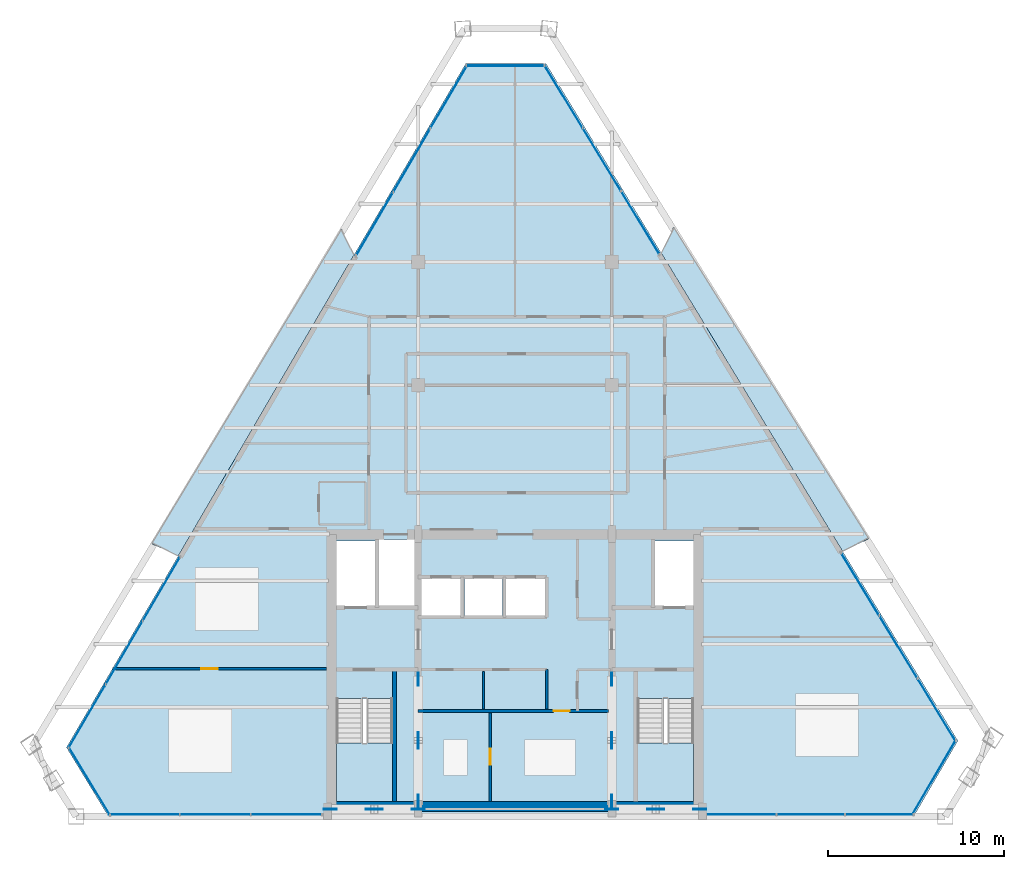
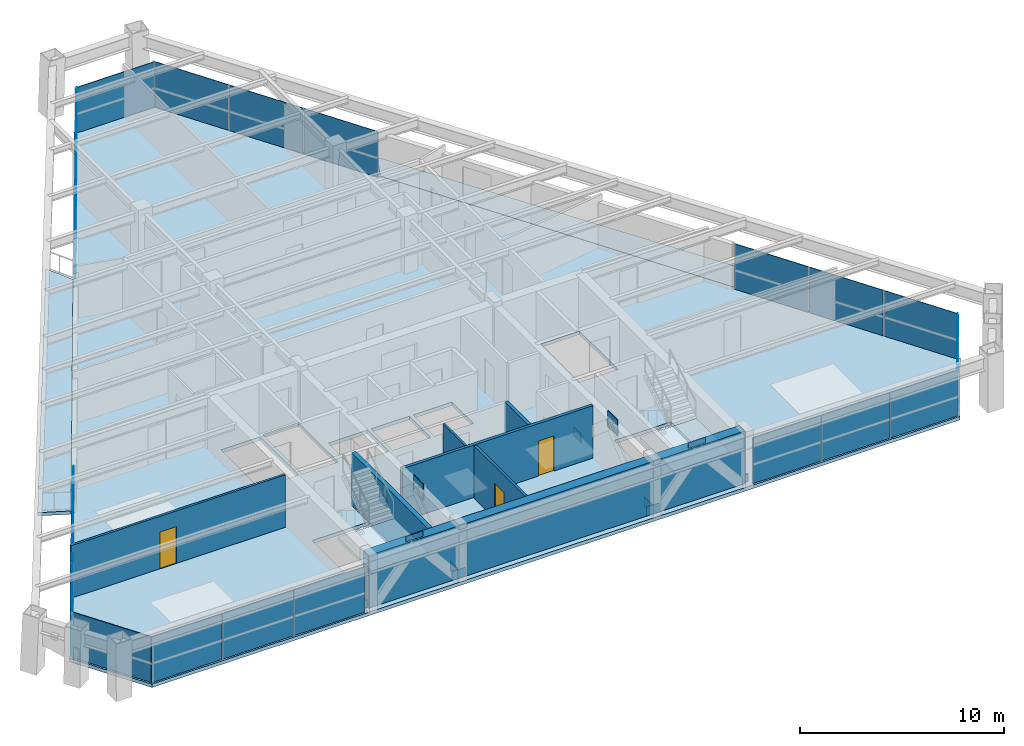
# One storey, part 8 of 13: 33 plates, 7 walls, 5 slabs, 3 doors, 3 openings, 11 elements without a shape of their own.
"""IFC4 building model written with IfcOpenShell, lengths in metres."""

from ifc_helpers import new_model, si_unit, direction, frame, frame_2d, origin, origin_2d, place, context, subcontext, project, spatial, polyline, rectangle, outline, extrude, source, transform, mapped, material, layer, layer_set, type_object, type_shapes, element, fill, aggregate, save


model = new_model("IFC4")

# Units and contexts
model_context = context("Model", 3, precision=1e-05, world=origin(), true_north=direction((0.0, 1.0)))
body_context = subcontext(model_context, "Body", "Model", "MODEL_VIEW")
ifc_project = project(units=[si_unit("LENGTHUNIT", "METRE"), si_unit("AREAUNIT", "SQUARE_METRE"), si_unit("VOLUMEUNIT", "CUBIC_METRE"), si_unit("PLANEANGLEUNIT", "RADIAN"), si_unit("MASSUNIT", "GRAM", prefix="KILO")], contexts=[model_context])

# Site, building, storey
site_placement = place(None, origin())
site = spatial("IfcSite", under=ifc_project, at=site_placement, CompositionType="ELEMENT")
building_placement = place(site_placement, origin())
building = spatial("IfcBuilding", under=site, at=building_placement, Name="Varnakhor Terracotta Tower", CompositionType="ELEMENT")
storey_placement = place(building_placement, frame((0.0, 0.0, 254.5)))
storey = spatial("IfcBuildingStorey", under=building, at=storey_placement, Name="L66", CompositionType="ELEMENT", Elevation=254.5)

# Slab
ifc_material_1 = material(Name="Concrete C40/50", Category="concrete")
ifc_layer_1 = layer(ifc_material_1, 0.2099609375, Name="Concrete C40/50")
ifc_layer_set_1 = layer_set([ifc_layer_1], Name="Concrete C40/50")
slab_type_1 = type_object("IfcSlabType", Name="SLB-HTL-210", PredefinedType="FLOOR", material=ifc_layer_set_1)
slab_1_placement = place(storey_placement, frame((0.0, 0.0, -0.2099609375)))
element("IfcSlab", 1, at=slab_1_placement, inside=storey, type_object=slab_type_1, Name="L66 Structural Floor Slab", PredefinedType="FLOOR", context=body_context, shape_type="SweptSolid", body=[
    extrude(outline(polyline([(-25.48583984375, 3.926025390625), (-2.800537109375, 42.77880859375), (1.759033203125, 42.77880859375), (25.160400390625, 4.30419921875), (22.647216796875, 0.0), (-23.097900390625, 0.0), (-25.48583984375, 3.926025390625)]), holes=[polyline([(-6.949951171875, 0.85009765625), (-6.949951171875, 6.695068359375), (-10.14990234375, 6.695068359375), (-10.14990234375, 0.85009765625), (-6.949951171875, 0.85009765625)]), polyline([(10.14990234375, 0.85009765625), (10.14990234375, 6.695068359375), (6.949951171875, 6.695068359375), (6.949951171875, 0.85009765625), (10.14990234375, 0.85009765625)]), polyline([(-3.10009765625, 11.419921875), (-3.10009765625, 13.52001953125), (-5.300048828125, 13.52001953125), (-5.300048828125, 11.419921875), (-3.10009765625, 11.419921875)]), polyline([(-0.719970703125, 11.419921875), (-0.719970703125, 13.52001953125), (-2.8798828125, 13.52001953125), (-2.8798828125, 11.419921875), (-0.719970703125, 11.419921875)]), polyline([(1.699951171875, 11.419921875), (1.699951171875, 13.52001953125), (-0.5, 13.52001953125), (-0.5, 11.419921875), (1.699951171875, 11.419921875)]), polyline([(-7.949951171875, 11.8798828125), (-7.949951171875, 15.64990234375), (-10.14990234375, 15.64990234375), (-10.14990234375, 11.8798828125), (-7.949951171875, 11.8798828125)]), polyline([(10.14990234375, 11.8798828125), (10.14990234375, 15.64990234375), (7.949951171875, 15.64990234375), (7.949951171875, 11.8798828125), (10.14990234375, 11.8798828125)]), polyline([(-5.699951171875, 11.8798828125), (-5.699951171875, 15.75), (-7.72998046875, 15.75), (-7.72998046875, 11.8798828125), (-5.699951171875, 11.8798828125)])]), origin(), (0.0, 0.0, 1.0), 0.2099609375),
])

# Stair, slab
stair_type = type_object("IfcStairType", Name="STR-CORE-HOTEL-1500", PredefinedType="HALF_TURN_STAIR", material=ifc_material_1)
stair_1_placement = place(storey_placement, origin())
stair_1 = element("IfcStair", 2, at=stair_1_placement, inside=storey, type_object=stair_type, Name="L66 Core Exit Stair ST-1", PredefinedType="HALF_TURN_STAIR")
ifc_layer_2 = layer(ifc_material_1, 0.179931640625, Name="Concrete C40/50")
ifc_layer_set_2 = layer_set([ifc_layer_2], Name="Concrete C40/50")
slab_type_2 = type_object("IfcSlabType", Name="SLB-LANDING-180", PredefinedType="LANDING", material=ifc_layer_set_2)
slab_2_placement = place(storey_placement, frame((0.0, 0.0, 1.52490234375)))
slab_2 = element("IfcSlab", 3, at=slab_2_placement, type_object=slab_type_2, Name="ST-1 landing 1", PredefinedType="LANDING", context=body_context, shape_type="SweptSolid", body=[
    extrude(outline(polyline([(-10.14990234375, 4.18994140625), (-10.14990234375, 0.85009765625), (-6.949951171875, 0.85009765625), (-6.949951171875, 4.18994140625), (-10.14990234375, 4.18994140625)])), origin(), (0.0, 0.0, 1.0), 0.2001953125),
])
aggregate(stair_1, [slab_2])

stair_2_placement = place(storey_placement, origin())
stair_2 = element("IfcStair", 4, at=stair_2_placement, inside=storey, type_object=stair_type, Name="L66 Core Exit Stair ST-2", PredefinedType="HALF_TURN_STAIR")
slab_3_placement = place(storey_placement, frame((0.0, 0.0, 1.52490234375)))
slab_3 = element("IfcSlab", 5, at=slab_3_placement, type_object=slab_type_2, Name="ST-2 landing 1", PredefinedType="LANDING", context=body_context, shape_type="SweptSolid", body=[
    extrude(outline(polyline([(6.949951171875, 4.18994140625), (6.949951171875, 0.85009765625), (10.14990234375, 0.85009765625), (10.14990234375, 4.18994140625), (6.949951171875, 4.18994140625)])), origin(), (0.0, 0.0, 1.0), 0.2001953125),
])
aggregate(stair_2, [slab_3])

# Slabs
ifc_layer_3 = layer(ifc_material_1, 0.195068359375, Name="Concrete C40/50")
ifc_layer_set_3 = layer_set([ifc_layer_3], Name="Concrete C40/50")
slab_type_3 = type_object("IfcSlabType", Name="SLB-LOGGIA-EXT-195", PredefinedType="FLOOR", material=ifc_layer_set_3)
slab_4_placement = place(storey_placement, frame((0.0, 0.0, -0.195068359375)))
element("IfcSlab", 6, at=slab_4_placement, inside=storey, type_object=slab_type_3, Name="L66 E Recessed Outdoor Loggia Slab", PredefinedType="FLOOR", context=body_context, shape_type="SweptSolid", body=[
    extrude(outline(polyline([(9.00048828125, 33.482421875), (20.09619140625, 15.772705078125), (18.60791015625, 15.076904296875), (8.311279296875, 32.005859375), (9.00048828125, 33.482421875)])), origin(), (0.0, 0.0, 1.0), 0.195068359375),
])
slab_5_placement = place(storey_placement, frame((0.0, 0.0, -0.195068359375)))
element("IfcSlab", 7, at=slab_5_placement, inside=storey, type_object=slab_type_3, Name="L66 W Recessed Outdoor Loggia Slab", PredefinedType="FLOOR", context=body_context, shape_type="SweptSolid", body=[
    extrude(outline(polyline([(-20.635009765625, 15.48779296875), (-9.846435546875, 33.37158203125), (-9.15234375, 31.89990234375), (-19.1337890625, 14.8046875), (-20.635009765625, 15.48779296875)])), origin(), (0.0, 0.0, 1.0), 0.195068359375),
])

# Plates
ifc_material_2 = material(Name="Steel S460", Category="steel")
ifc_layer_4 = layer(ifc_material_2, 0.050048828125, Name="Steel S460")
ifc_layer_set_4 = layer_set([ifc_layer_4], Name="Steel S460")
plate_type_1 = type_object("IfcPlateType", Name="PLT-GUSSET-50", PredefinedType="USERDEFINED", material=ifc_layer_set_4)
shared_shape_1 = source(origin(), body_context, "Body", "SweptSolid", [
    extrude(rectangle(XDim=0.75, YDim=0.0400390625, at=origin_2d()), origin(), (0.0, 0.0, 1.0), 0.550048828125),
])
type_shapes(plate_type_1, [shared_shape_1])
for number, where, z_axis, x_axis, name in (
    (8, (-10.5, 0.419921875, -0.09521484375), (0.0, 0.0, 1.0), (1.0, 0.0, 0.0), "L66 Core Brace Embed Plate CSWA"),
    (9, (-5.5, 0.419921875, -0.09521484375), (0.0, 0.0, 1.0), (1.0, 0.0, 0.0), "L66 Core Brace Embed Plate CSWB"),
    (10, (5.5, 0.419921875, -0.09521484375), (0.0, 0.0, 1.0), (1.0, 0.0, 0.0), "L66 Core Brace Embed Plate CSEA"),
    (11, (10.5, 0.419921875, -0.09521484375), (0.0, 0.0, 1.0), (1.0, 0.0, 0.0), "L66 Core Brace Embed Plate CSEB"),
    (12, (-5.5, 0.85009765625, -0.09521484375), (0.0, 0.0, 1.0), (0.0, 1.0, 0.0), "L66 Core Brace Embed Plate CWWA"),
    (13, (-5.5, 7.800048828125, -0.09521484375), (0.0, 0.0, 1.0), (0.0, 1.0, 0.0), "L66 Core Brace Embed Plate CWWB"),
    (14, (5.5, 0.85009765625, -0.09521484375), (0.0, 0.0, 1.0), (0.0, 1.0, 0.0), "L66 Core Brace Embed Plate CWEA"),
    (15, (5.5, 7.800048828125, -0.09521484375), (0.0, 0.0, 1.0), (0.0, 1.0, 0.0), "L66 Core Brace Embed Plate CWEB"),
):
    element("IfcPlate", number, at=place(storey_placement, frame(where, z_axis=z_axis, x_axis=x_axis)), inside=storey, type_object=plate_type_1, Name=name, ObjectType="GUSSET PLATE", PredefinedType="USERDEFINED", context=body_context, shape_type="MappedRepresentation", body=[
        mapped(shared_shape_1, transform((0.0, 0.0, 0.0), scale=1.0)),
    ])
shared_shape_2 = source(origin(), body_context, "Body", "SweptSolid", [
    extrude(rectangle(XDim=0.949951171875, YDim=0.044921875, at=origin_2d()), origin(), (0.0, 0.0, 1.0), 0.949951171875),
])
for number, where, z_axis, x_axis, name in (
    (16, (-8.0, 0.419921875, 2.52490234375), (0.0, 0.0, 1.0), (1.0, 0.0, 0.0), "L66 Core Brace Apex Gusset CSW"),
    (17, (8.0, 0.419921875, 2.52490234375), (0.0, 0.0, 1.0), (1.0, 0.0, 0.0), "L66 Core Brace Apex Gusset CSE"),
    (18, (-5.5, 4.324951171875, 2.52490234375), (0.0, 0.0, 1.0), (0.0, 1.0, 0.0), "L66 Core Brace Apex Gusset CWW"),
    (19, (5.5, 4.324951171875, 2.52490234375), (0.0, 0.0, 1.0), (0.0, 1.0, 0.0), "L66 Core Brace Apex Gusset CWE"),
):
    element("IfcPlate", number, at=place(storey_placement, frame(where, z_axis=z_axis, x_axis=x_axis)), inside=storey, type_object=plate_type_1, Name=name, ObjectType="GUSSET PLATE", PredefinedType="USERDEFINED", context=body_context, shape_type="MappedRepresentation", body=[
        mapped(shared_shape_2, transform((0.0, 0.0, 0.0), scale=1.0)),
    ])

# Curtain wall, plates
ifc_material_3 = material(Name="Anodised Aluminium Curtain Wall System", Category="aluminium")
curtain_wall_type = type_object("IfcCurtainWallType", Name="CW-SYS-HOTEL-LOGGIA", PredefinedType="NOTDEFINED", material=ifc_material_3)
curtain_wall_1_placement = place(storey_placement, origin())
curtain_wall_1 = element("IfcCurtainWall", 20, at=curtain_wall_1_placement, inside=storey, type_object=curtain_wall_type, Name="L66 W Facet Curtain Wall 1", PredefinedType="NOTDEFINED")
ifc_material_4 = material(Name="Solar-Control Low-E Insulated Glass Panel", Category="glass")
ifc_layer_5 = layer(ifc_material_4, 0.033935546875, Name="Solar-Control Low-E Insulated Glass Panel")
ifc_layer_set_5 = layer_set([ifc_layer_5], Name="Solar-Control Low-E Insulated Glass Panel")
plate_type_2 = type_object("IfcPlateType", Name="CWP-04", PredefinedType="CURTAIN_PANEL", material=ifc_layer_set_5)
shared_shape_3 = source(origin(), body_context, "Body", "SweptSolid", [
    extrude(rectangle(XDim=4.13916015625, YDim=0.035888671875, at=origin_2d()), origin(), (0.0, 0.0, 1.0), 2.72998046875),
])
plate_1_placement = place(storey_placement, frame((-24.3134765625, 5.69580078125, 0.0), z_axis=(0.0, 0.0, 1.0), x_axis=(0.504226211181, 0.863571611366, 0.0)))
plate_1 = element("IfcPlate", 21, at=plate_1_placement, type_object=plate_type_2, Name="L66 W Facet Curtain Wall 1 Glazed Panel 1", PredefinedType="CURTAIN_PANEL", context=body_context, shape_type="MappedRepresentation", body=[
    mapped(shared_shape_3, transform((0.0, 0.0, 0.0), scale=1.0)),
])
plate_2_placement = place(storey_placement, frame((-22.206298828125, 9.304931640625, 0.0), z_axis=(0.0, 0.0, 1.0), x_axis=(0.504226211181, 0.863571611366, 0.0)))
plate_2 = element("IfcPlate", 22, at=plate_2_placement, type_object=plate_type_2, Name="L66 W Facet Curtain Wall 1 Glazed Panel 2", PredefinedType="CURTAIN_PANEL", context=body_context, shape_type="MappedRepresentation", body=[
    mapped(shared_shape_3, transform((0.0, 0.0, 0.0), scale=1.0)),
])

curtain_wall_2_placement = place(storey_placement, origin())
curtain_wall_2 = element("IfcCurtainWall", 23, at=curtain_wall_2_placement, inside=storey, type_object=curtain_wall_type, Name="L66 W Facet Curtain Wall 2", PredefinedType="NOTDEFINED")
plate_3_placement = place(storey_placement, frame((-7.97998046875, 33.669921875, 0.0), z_axis=(0.0, 0.0, 1.0), x_axis=(0.504226211181, 0.863571611366, 0.0)))
plate_3 = element("IfcPlate", 24, at=plate_3_placement, type_object=plate_type_2, Name="L66 W Facet Curtain Wall 2 Glazed Panel 1", PredefinedType="CURTAIN_PANEL", context=body_context, shape_type="MappedRepresentation", body=[
    mapped(shared_shape_3, transform((0.0, 0.0, 0.0), scale=1.0)),
])
plate_4_placement = place(storey_placement, frame((-5.872802734375, 37.27880859375, 0.0), z_axis=(0.0, 0.0, 1.0), x_axis=(0.504226211181, 0.863571611366, 0.0)))
plate_4 = element("IfcPlate", 25, at=plate_4_placement, type_object=plate_type_2, Name="L66 W Facet Curtain Wall 2 Glazed Panel 2", PredefinedType="CURTAIN_PANEL", context=body_context, shape_type="MappedRepresentation", body=[
    mapped(shared_shape_3, transform((0.0, 0.0, 0.0), scale=1.0)),
])
plate_5_placement = place(storey_placement, frame((-3.765625, 40.8876953125, 0.0), z_axis=(0.0, 0.0, 1.0), x_axis=(0.504226211181, 0.863571611366, 0.0)))
plate_5 = element("IfcPlate", 26, at=plate_5_placement, type_object=plate_type_2, Name="L66 W Facet Curtain Wall 2 Glazed Panel 3", PredefinedType="CURTAIN_PANEL", context=body_context, shape_type="MappedRepresentation", body=[
    mapped(shared_shape_3, transform((0.0, 0.0, 0.0), scale=1.0)),
])
aggregate(curtain_wall_2, [plate_3, plate_4, plate_5])

# Plate
shared_shape_4 = source(origin(), body_context, "Body", "SweptSolid", [
    extrude(rectangle(XDim=4.138916015625, YDim=0.035888671875, at=origin_2d()), origin(), (0.0, 0.0, 1.0), 2.72998046875),
])
plate_6_placement = place(storey_placement, frame((-20.09912109375, 12.913818359375, 0.0), z_axis=(0.0, 0.0, 1.0), x_axis=(0.504226211181, 0.863571611366, 0.0)))
plate_6 = element("IfcPlate", 27, at=plate_6_placement, type_object=plate_type_2, Name="L66 W Facet Curtain Wall 1 Glazed Panel 3", PredefinedType="CURTAIN_PANEL", context=body_context, shape_type="MappedRepresentation", body=[
    mapped(shared_shape_4, transform((0.0, 0.0, 0.0), scale=1.0)),
])

aggregate(curtain_wall_1, [plate_1, plate_2, plate_6])

# Curtain wall, plate
curtain_wall_3_placement = place(storey_placement, origin())
curtain_wall_3 = element("IfcCurtainWall", 28, at=curtain_wall_3_placement, inside=storey, type_object=curtain_wall_type, Name="L66 Facet Curtain Wall 2", PredefinedType="NOTDEFINED")
shared_shape_5 = source(origin(), body_context, "Body", "SweptSolid", [
    extrude(rectangle(XDim=4.459716796875, YDim=0.035888671875, at=origin_2d()), origin(), (0.0, 0.0, 1.0), 2.72998046875),
])
plate_7_placement = place(storey_placement, frame((-0.520751953125, 42.65869140625, 0.0), z_axis=(0.0, 0.0, 1.0), x_axis=(1.0, 0.0, 0.0)))
plate_7 = element("IfcPlate", 29, at=plate_7_placement, type_object=plate_type_2, Name="L66 Facet Curtain Wall 2 Glazed Panel 1", PredefinedType="CURTAIN_PANEL", context=body_context, shape_type="MappedRepresentation", body=[
    mapped(shared_shape_5, transform((0.0, 0.0, 0.0), scale=1.0)),
])
aggregate(curtain_wall_3, [plate_7])

# Curtain wall, plates
curtain_wall_4_placement = place(storey_placement, origin())
curtain_wall_4 = element("IfcCurtainWall", 30, at=curtain_wall_4_placement, inside=storey, type_object=curtain_wall_type, Name="L66 E Facet Curtain Wall 1", PredefinedType="NOTDEFINED")
shared_shape_6 = source(origin(), body_context, "Body", "SweptSolid", [
    extrude(rectangle(XDim=4.14306640625, YDim=0.035888671875, at=origin_2d()), origin(), (0.0, 0.0, 1.0), 2.72998046875),
])
plate_8_placement = place(storey_placement, frame((2.759033203125, 40.90380859375, 0.0), z_axis=(0.0, 0.0, 1.0), x_axis=(0.519653323549, -0.85437721372, 0.0)))
plate_8 = element("IfcPlate", 31, at=plate_8_placement, type_object=plate_type_2, Name="L66 E Facet Curtain Wall 1 Glazed Panel 1", PredefinedType="CURTAIN_PANEL", context=body_context, shape_type="MappedRepresentation", body=[
    mapped(shared_shape_6, transform((0.0, 0.0, 0.0), scale=1.0)),
])
plate_9_placement = place(storey_placement, frame((7.1064453125, 33.756103515625, 0.0), z_axis=(0.0, 0.0, 1.0), x_axis=(0.519653323549, -0.85437721372, 0.0)))
plate_9 = element("IfcPlate", 32, at=plate_9_placement, type_object=plate_type_2, Name="L66 E Facet Curtain Wall 1 Glazed Panel 3", PredefinedType="CURTAIN_PANEL", context=body_context, shape_type="MappedRepresentation", body=[
    mapped(shared_shape_6, transform((0.0, 0.0, 0.0), scale=1.0)),
])

curtain_wall_5_placement = place(storey_placement, origin())
curtain_wall_5 = element("IfcCurtainWall", 33, at=curtain_wall_5_placement, inside=storey, type_object=curtain_wall_type, Name="L66 E Facet Curtain Wall 2", PredefinedType="NOTDEFINED")
plate_10_placement = place(storey_placement, frame((19.60791015625, 13.201904296875, 0.0), z_axis=(0.0, 0.0, 1.0), x_axis=(0.519653323549, -0.85437721372, 0.0)))
plate_10 = element("IfcPlate", 34, at=plate_10_placement, type_object=plate_type_2, Name="L66 E Facet Curtain Wall 2 Glazed Panel 1", PredefinedType="CURTAIN_PANEL", context=body_context, shape_type="MappedRepresentation", body=[
    mapped(shared_shape_6, transform((0.0, 0.0, 0.0), scale=1.0)),
])
plate_11_placement = place(storey_placement, frame((21.781494140625, 9.628173828125, 0.0), z_axis=(0.0, 0.0, 1.0), x_axis=(0.519653323549, -0.85437721372, 0.0)))
plate_11 = element("IfcPlate", 35, at=plate_11_placement, type_object=plate_type_2, Name="L66 E Facet Curtain Wall 2 Glazed Panel 2", PredefinedType="CURTAIN_PANEL", context=body_context, shape_type="MappedRepresentation", body=[
    mapped(shared_shape_6, transform((0.0, 0.0, 0.0), scale=1.0)),
])

# Plate
shared_shape_7 = source(origin(), body_context, "Body", "SweptSolid", [
    extrude(rectangle(XDim=4.142822265625, YDim=0.035888671875, at=origin_2d()), origin(), (0.0, 0.0, 1.0), 2.72998046875),
])
plate_12_placement = place(storey_placement, frame((4.9326171875, 37.329833984375, 0.0), z_axis=(0.0, 0.0, 1.0), x_axis=(0.519653323549, -0.85437721372, 0.0)))
plate_12 = element("IfcPlate", 36, at=plate_12_placement, type_object=plate_type_2, Name="L66 E Facet Curtain Wall 1 Glazed Panel 2", PredefinedType="CURTAIN_PANEL", context=body_context, shape_type="MappedRepresentation", body=[
    mapped(shared_shape_7, transform((0.0, 0.0, 0.0), scale=1.0)),
])

aggregate(curtain_wall_4, [plate_8, plate_12, plate_9])

plate_13_placement = place(storey_placement, frame((23.955322265625, 6.05419921875, 0.0), z_axis=(0.0, 0.0, 1.0), x_axis=(0.519653323549, -0.85437721372, 0.0)))
plate_13 = element("IfcPlate", 37, at=plate_13_placement, type_object=plate_type_2, Name="L66 E Facet Curtain Wall 2 Glazed Panel 3", PredefinedType="CURTAIN_PANEL", context=body_context, shape_type="MappedRepresentation", body=[
    mapped(shared_shape_7, transform((0.0, 0.0, 0.0), scale=1.0)),
])

aggregate(curtain_wall_5, [plate_10, plate_11, plate_13])

# Curtain wall, plate
curtain_wall_6_placement = place(storey_placement, origin())
curtain_wall_6 = element("IfcCurtainWall", 38, at=curtain_wall_6_placement, inside=storey, type_object=curtain_wall_type, Name="L66 Facet Curtain Wall 4", PredefinedType="NOTDEFINED")
shared_shape_8 = source(origin(), body_context, "Body", "SweptSolid", [
    extrude(rectangle(XDim=4.884033203125, YDim=0.035888671875, at=origin_2d()), origin(), (0.0, 0.0, 1.0), 2.72998046875),
])
plate_14_placement = place(storey_placement, frame((23.800048828125, 2.212646484375, 0.0), z_axis=(0.0, 0.0, 1.0), x_axis=(-0.504226211181, -0.863571611366, 0.0)))
plate_14 = element("IfcPlate", 39, at=plate_14_placement, type_object=plate_type_2, Name="L66 Facet Curtain Wall 4 Glazed Panel 1", PredefinedType="CURTAIN_PANEL", context=body_context, shape_type="MappedRepresentation", body=[
    mapped(shared_shape_8, transform((0.0, 0.0, 0.0), scale=1.0)),
])
aggregate(curtain_wall_6, [plate_14])

# Curtain wall, plates
curtain_wall_7_placement = place(storey_placement, origin())
curtain_wall_7 = element("IfcCurtainWall", 40, at=curtain_wall_7_placement, inside=storey, type_object=curtain_wall_type, Name="L66 South Wing Curtain Wall SSE", PredefinedType="NOTDEFINED")
shared_shape_9 = source(origin(), body_context, "Body", "SweptSolid", [
    extrude(rectangle(XDim=3.84912109375, YDim=0.035888671875, at=origin_2d()), origin(), (0.0, 0.0, 1.0), 2.72998046875),
])
plate_15_placement = place(storey_placement, frame((20.692626953125, 0.1201171875, 0.0), z_axis=(0.0, 0.0, 1.0), x_axis=(-1.0, 0.0, 0.0)))
plate_15 = element("IfcPlate", 41, at=plate_15_placement, type_object=plate_type_2, Name="L66 South Wing Curtain Wall SSE Glazed Panel 1", PredefinedType="CURTAIN_PANEL", context=body_context, shape_type="MappedRepresentation", body=[
    mapped(shared_shape_9, transform((0.0, 0.0, 0.0), scale=1.0)),
])
plate_16_placement = place(storey_placement, frame((16.8037109375, 0.1201171875, 0.0), z_axis=(0.0, 0.0, 1.0), x_axis=(-1.0, 0.0, 0.0)))
plate_16 = element("IfcPlate", 42, at=plate_16_placement, type_object=plate_type_2, Name="L66 South Wing Curtain Wall SSE Glazed Panel 2", PredefinedType="CURTAIN_PANEL", context=body_context, shape_type="MappedRepresentation", body=[
    mapped(shared_shape_9, transform((0.0, 0.0, 0.0), scale=1.0)),
])
plate_17_placement = place(storey_placement, frame((12.91455078125, 0.1201171875, 0.0), z_axis=(0.0, 0.0, 1.0), x_axis=(-1.0, 0.0, 0.0)))
plate_17 = element("IfcPlate", 43, at=plate_17_placement, type_object=plate_type_2, Name="L66 South Wing Curtain Wall SSE Glazed Panel 3", PredefinedType="CURTAIN_PANEL", context=body_context, shape_type="MappedRepresentation", body=[
    mapped(shared_shape_9, transform((0.0, 0.0, 0.0), scale=1.0)),
])
aggregate(curtain_wall_7, [plate_15, plate_16, plate_17])

curtain_wall_8_placement = place(storey_placement, origin())
curtain_wall_8 = element("IfcCurtainWall", 44, at=curtain_wall_8_placement, inside=storey, type_object=curtain_wall_type, Name="L66 South Wing Curtain Wall SSW", PredefinedType="NOTDEFINED")
shared_shape_10 = source(origin(), body_context, "Body", "SweptSolid", [
    extrude(rectangle(XDim=3.999267578125, YDim=0.035888671875, at=origin_2d()), origin(), (0.0, 0.0, 1.0), 2.72998046875),
])
plate_18_placement = place(storey_placement, frame((-12.98974609375, 0.1201171875, 0.0), z_axis=(0.0, 0.0, 1.0), x_axis=(-1.0, 0.0, 0.0)))
plate_18 = element("IfcPlate", 45, at=plate_18_placement, type_object=plate_type_2, Name="L66 South Wing Curtain Wall SSW Glazed Panel 1", PredefinedType="CURTAIN_PANEL", context=body_context, shape_type="MappedRepresentation", body=[
    mapped(shared_shape_10, transform((0.0, 0.0, 0.0), scale=1.0)),
])
plate_19_placement = place(storey_placement, frame((-17.029052734375, 0.1201171875, 0.0), z_axis=(0.0, 0.0, 1.0), x_axis=(-1.0, 0.0, 0.0)))
plate_19 = element("IfcPlate", 46, at=plate_19_placement, type_object=plate_type_2, Name="L66 South Wing Curtain Wall SSW Glazed Panel 2", PredefinedType="CURTAIN_PANEL", context=body_context, shape_type="MappedRepresentation", body=[
    mapped(shared_shape_10, transform((0.0, 0.0, 0.0), scale=1.0)),
])
plate_20_placement = place(storey_placement, frame((-21.068115234375, 0.1201171875, 0.0), z_axis=(0.0, 0.0, 1.0), x_axis=(-1.0, 0.0, 0.0)))
plate_20 = element("IfcPlate", 47, at=plate_20_placement, type_object=plate_type_2, Name="L66 South Wing Curtain Wall SSW Glazed Panel 3", PredefinedType="CURTAIN_PANEL", context=body_context, shape_type="MappedRepresentation", body=[
    mapped(shared_shape_10, transform((0.0, 0.0, 0.0), scale=1.0)),
])
aggregate(curtain_wall_8, [plate_18, plate_19, plate_20])

# Curtain wall, plate
curtain_wall_9_placement = place(storey_placement, origin())
curtain_wall_9 = element("IfcCurtainWall", 48, at=curtain_wall_9_placement, inside=storey, type_object=curtain_wall_type, Name="L66 Facet Curtain Wall 6", PredefinedType="NOTDEFINED")
shared_shape_11 = source(origin(), body_context, "Body", "SweptSolid", [
    extrude(rectangle(XDim=4.4951171875, YDim=0.035888671875, at=origin_2d()), origin(), (0.0, 0.0, 1.0), 2.72998046875),
])
plate_21_placement = place(storey_placement, frame((-24.189208984375, 2.025390625, 0.0), z_axis=(0.0, 0.0, 1.0), x_axis=(-0.519653323549, 0.85437721372, 0.0)))
plate_21 = element("IfcPlate", 49, at=plate_21_placement, type_object=plate_type_2, Name="L66 Facet Curtain Wall 6 Glazed Panel 1", PredefinedType="CURTAIN_PANEL", context=body_context, shape_type="MappedRepresentation", body=[
    mapped(shared_shape_11, transform((0.0, 0.0, 0.0), scale=1.0)),
])
aggregate(curtain_wall_9, [plate_21])

# Wall
ifc_material_5 = material(Name="Concrete C50/60", Category="concrete")
ifc_layer_6 = layer(ifc_material_5, 0.550048828125, Name="Concrete C50/60")
ifc_layer_set_6 = layer_set([ifc_layer_6], Name="Concrete C50/60")
wall_type_1 = type_object("IfcWallType", Name="WAL-CORE-550", PredefinedType="SHEAR", material=ifc_layer_set_6)
wall_1_placement = place(storey_placement, frame((-10.64990234375, 0.574951171875, 0.0), z_axis=(0.0, 0.0, 1.0), x_axis=(1.0, 0.0, 0.0)))
element("IfcWall", 50, at=wall_1_placement, inside=storey, type_object=wall_type_1, Name="L66 South Core Shear Wall", PredefinedType="SHEAR", context=body_context, shape_type="SweptSolid", body=[
    extrude(rectangle(XDim=21.2998046875, YDim=0.550048828125, at=frame_2d((10.64990234375, 0.0))), origin(), (0.0, 0.0, 1.0), 3.14990234375),
])

# Wall, opening, door
ifc_material_6 = material(Name="Acoustic Hotel Room Partition", Category="gypsum")
ifc_layer_7 = layer(ifc_material_6, 0.1298828125, Name="Acoustic Hotel Room Partition")
ifc_layer_set_7 = layer_set([ifc_layer_7], Name="Acoustic Hotel Room Partition")
wall_type_2 = type_object("IfcWallType", Name="WAL-PART-130", PredefinedType="PARTITIONING", material=ifc_layer_set_7)
wall_2_placement = place(storey_placement, frame((-22.86181640625, 8.39990234375, 0.0), z_axis=(0.0, 0.0, 1.0), x_axis=(1.0, 0.0, 0.0)))
wall_2 = element("IfcWall", 51, at=wall_2_placement, inside=storey, type_object=wall_type_2, Name="L66 SW Key Split 1", PredefinedType="PARTITIONING", context=body_context, shape_type="SweptSolid", body=[
    extrude(rectangle(XDim=12.141845703125, YDim=0.1298828125, at=frame_2d((6.07080078125, 0.0))), origin(), (0.0, 0.0, 1.0), 3.14208984375),
])
opening_1_placement = place(wall_2_placement, frame((5.02294921875, 0.0, 0.0)))
opening_1 = element("IfcOpeningElement", 52, at=opening_1_placement, cuts=wall_2, Name="Opening DR-94", PredefinedType="OPENING", context=body_context, shape_type="SweptSolid", body=[
    extrude(rectangle(XDim=0.949951171875, YDim=2.199951171875, at=frame_2d((0.47509765625, 1.10009765625))), frame((0.0, 0.074951171875, 0.0), z_axis=(0.0, -1.0, 0.0), x_axis=(1.0, 0.0, 0.0)), (0.0, 0.0, 1.0), 0.14990234375),
])
ifc_material_7 = material(Name="Acoustic Glazed-Vision Timber Office Door", Category="wood")
door_type_1 = type_object("IfcDoorType", Name="DR-OFF-950X2200", OperationType="NOTDEFINED", PredefinedType="DOOR", material=ifc_material_7)
shared_shape_12 = source(origin(), body_context, "Body", "SweptSolid", [
    extrude(rectangle(XDim=0.949951171875, YDim=2.199951171875, at=frame_2d((0.47509765625, 1.10009765625))), frame((0.0, 0.02490234375, 0.0), z_axis=(0.0, -1.0, 0.0), x_axis=(1.0, 0.0, 0.0)), (0.0, 0.0, 1.0), 0.050048828125),
])
type_shapes(door_type_1, [shared_shape_12])
door_1_placement = place(opening_1_placement, origin())
door_1 = element("IfcDoor", 53, at=door_1_placement, inside=storey, type_object=door_type_1, Name="L66 SW Suite Connect Door 1", OperationType="SINGLE_SWING_LEFT", OverallHeight=2.199951171875, OverallWidth=0.949951171875, PredefinedType="DOOR", context=body_context, shape_type="MappedRepresentation", body=[
    mapped(shared_shape_12, transform((0.0, 0.0, 0.0), scale=1.0)),
])
fill(opening_1, door_1)

# Walls
ifc_layer_8 = layer(ifc_material_1, 0.25, Name="Concrete C40/50")
ifc_layer_set_8 = layer_set([ifc_layer_8], Name="Concrete C40/50")
wall_type_3 = type_object("IfcWallType", Name="WAL-SHAFT-250", PredefinedType="SOLIDWALL", material=ifc_layer_set_8)
wall_3_placement = place(storey_placement, frame((-6.85009765625, 0.85009765625, 0.0), z_axis=(0.0, 0.0, 1.0), x_axis=(0.0, 1.0, 0.0)))
element("IfcWall", 54, at=wall_3_placement, inside=storey, type_object=wall_type_3, Name="L66 Stair ST-1 Bearing Shaft Wall", PredefinedType="SOLIDWALL", context=body_context, shape_type="SweptSolid", body=[
    extrude(rectangle(XDim=7.5, YDim=0.25, at=frame_2d((3.75, 0.0))), origin(), (0.0, 0.0, 1.0), 3.14990234375),
])
ifc_material_8 = material(Name="Acoustic Fire-Rated Partition", Category="gypsum")
ifc_layer_9 = layer(ifc_material_8, 0.114990234375, Name="Acoustic Fire-Rated Partition")
ifc_layer_set_9 = layer_set([ifc_layer_9], Name="Acoustic Fire-Rated Partition")
wall_type_4 = type_object("IfcWallType", Name="WAL-TENANCY-115", PredefinedType="PARTITIONING", material=ifc_layer_set_9)
wall_4_placement = place(storey_placement, frame((-1.800048828125, 6.10009765625, 0.0), z_axis=(0.0, 0.0, 1.0), x_axis=(0.0, 1.0, 0.0)))
element("IfcWall", 55, at=wall_4_placement, inside=storey, type_object=wall_type_4, Name="L66 Reclaimed Mid-Core Split Wall", PredefinedType="PARTITIONING", context=body_context, shape_type="SweptSolid", body=[
    extrude(rectangle(XDim=2.14990234375, YDim=0.114990234375, at=frame_2d((1.074951171875, 0.0))), origin(), (0.0, 0.0, 1.0), 3.14208984375),
])

# Wall, opening, door
ifc_layer_10 = layer(ifc_material_8, 0.139892578125, Name="Acoustic Fire-Rated Partition")
ifc_layer_set_10 = layer_set([ifc_layer_10], Name="Acoustic Fire-Rated Partition")
wall_type_5 = type_object("IfcWallType", Name="WAL-TENANCY-140", PredefinedType="PARTITIONING", material=ifc_layer_set_10)
wall_5_placement = place(storey_placement, frame((-1.39990234375, 0.85009765625, 0.0), z_axis=(0.0, 0.0, 1.0), x_axis=(0.0, 1.0, 0.0)))
wall_5 = element("IfcWall", 56, at=wall_5_placement, inside=storey, type_object=wall_type_5, Name="L66 Reclaimed Core Bay Split Wall", PredefinedType="PARTITIONING", context=body_context, shape_type="SweptSolid", body=[
    extrude(rectangle(XDim=5.02978515625, YDim=0.139892578125, at=frame_2d((2.514892578125, 0.0))), origin(), (0.0, 0.0, 1.0), 3.14208984375),
])
opening_2_placement = place(wall_5_placement, frame((2.10009765625, 0.0, 0.0)))
opening_2 = element("IfcOpeningElement", 57, at=opening_2_placement, cuts=wall_5, Name="Opening DR-67", PredefinedType="OPENING", context=body_context, shape_type="SweptSolid", body=[
    extrude(rectangle(XDim=0.89990234375, YDim=2.10009765625, at=frame_2d((0.449951171875, 1.050048828125))), frame((0.0, 0.080078125, 0.0), z_axis=(0.0, -1.0, 0.0), x_axis=(1.0, 0.0, 0.0)), (0.0, 0.0, 1.0), 0.159912109375),
])
ifc_material_9 = material(Name="Steel Service Riser Fire Door", Category="steel")
door_type_2 = type_object("IfcDoorType", Name="DR-RISER-900X2100", OperationType="NOTDEFINED", PredefinedType="DOOR", material=ifc_material_9)
shared_shape_13 = source(origin(), body_context, "Body", "SweptSolid", [
    extrude(rectangle(XDim=0.89990234375, YDim=2.10009765625, at=frame_2d((0.449951171875, 1.050048828125))), frame((0.0, 0.02490234375, 0.0), z_axis=(0.0, -1.0, 0.0), x_axis=(1.0, 0.0, 0.0)), (0.0, 0.0, 1.0), 0.050048828125),
])
type_shapes(door_type_2, [shared_shape_13])
door_2_placement = place(opening_2_placement, origin())
door_2 = element("IfcDoor", 58, at=door_2_placement, inside=storey, type_object=door_type_2, Name="L66 Core Inner Service Door", OperationType="SINGLE_SWING_RIGHT", OverallHeight=2.10009765625, OverallWidth=0.89990234375, PredefinedType="DOOR", context=body_context, shape_type="MappedRepresentation", body=[
    mapped(shared_shape_13, transform((0.0, 0.0, 0.0), scale=1.0)),
])
fill(opening_2, door_2)

ifc_layer_11 = layer(ifc_material_8, 0.1650390625, Name="Acoustic Fire-Rated Partition")
ifc_layer_set_11 = layer_set([ifc_layer_11], Name="Acoustic Fire-Rated Partition")
wall_type_6 = type_object("IfcWallType", Name="WAL-TENANCY-165", PredefinedType="PARTITIONING", material=ifc_layer_set_11)
wall_6_placement = place(storey_placement, frame((-5.5, 6.0, 0.0), z_axis=(0.0, 0.0, 1.0), x_axis=(1.0, 0.0, 0.0)))
wall_6 = element("IfcWall", 59, at=wall_6_placement, inside=storey, type_object=wall_type_6, Name="L66 Reclaimed Core Bay North Rated Wall", PredefinedType="PARTITIONING", context=body_context, shape_type="SweptSolid", body=[
    extrude(rectangle(XDim=10.800048828125, YDim=0.1650390625, at=frame_2d((5.39990234375, 0.0))), origin(), (0.0, 0.0, 1.0), 3.14208984375),
])
opening_3_placement = place(wall_6_placement, frame((7.699951171875, 0.0, 0.0)))
opening_3 = element("IfcOpeningElement", 60, at=opening_3_placement, cuts=wall_6, Name="Opening DR-67", PredefinedType="OPENING", context=body_context, shape_type="SweptSolid", body=[
    extrude(rectangle(XDim=0.89990234375, YDim=2.10009765625, at=frame_2d((0.449951171875, 1.050048828125))), frame((0.0, 0.092529296875, 0.0), z_axis=(0.0, -1.0, 0.0), x_axis=(1.0, 0.0, 0.0)), (0.0, 0.0, 1.0), 0.18505859375),
])
door_3_placement = place(opening_3_placement, origin())
door_3 = element("IfcDoor", 61, at=door_3_placement, inside=storey, type_object=door_type_2, Name="L66 Core Reclaimed Suite Door", OperationType="SINGLE_SWING_LEFT", OverallHeight=2.10009765625, OverallWidth=0.89990234375, PredefinedType="DOOR", context=body_context, shape_type="MappedRepresentation", body=[
    mapped(shared_shape_13, transform((0.0, 0.0, 0.0), scale=1.0)),
])
fill(opening_3, door_3)

# Wall
wall_7_placement = place(storey_placement, frame((1.800048828125, 6.10009765625, 0.0), z_axis=(0.0, 0.0, 1.0), x_axis=(0.0, 1.0, 0.0)))
element("IfcWall", 62, at=wall_7_placement, inside=storey, type_object=wall_type_6, Name="L66 Reclaimed Mid-Core East Wall", PredefinedType="PARTITIONING", context=body_context, shape_type="SweptSolid", body=[
    extrude(rectangle(XDim=2.25, YDim=0.1650390625, at=frame_2d((1.125, 0.0))), origin(), (0.0, 0.0, 1.0), 3.14208984375),
])

save(model, "model.ifc")
